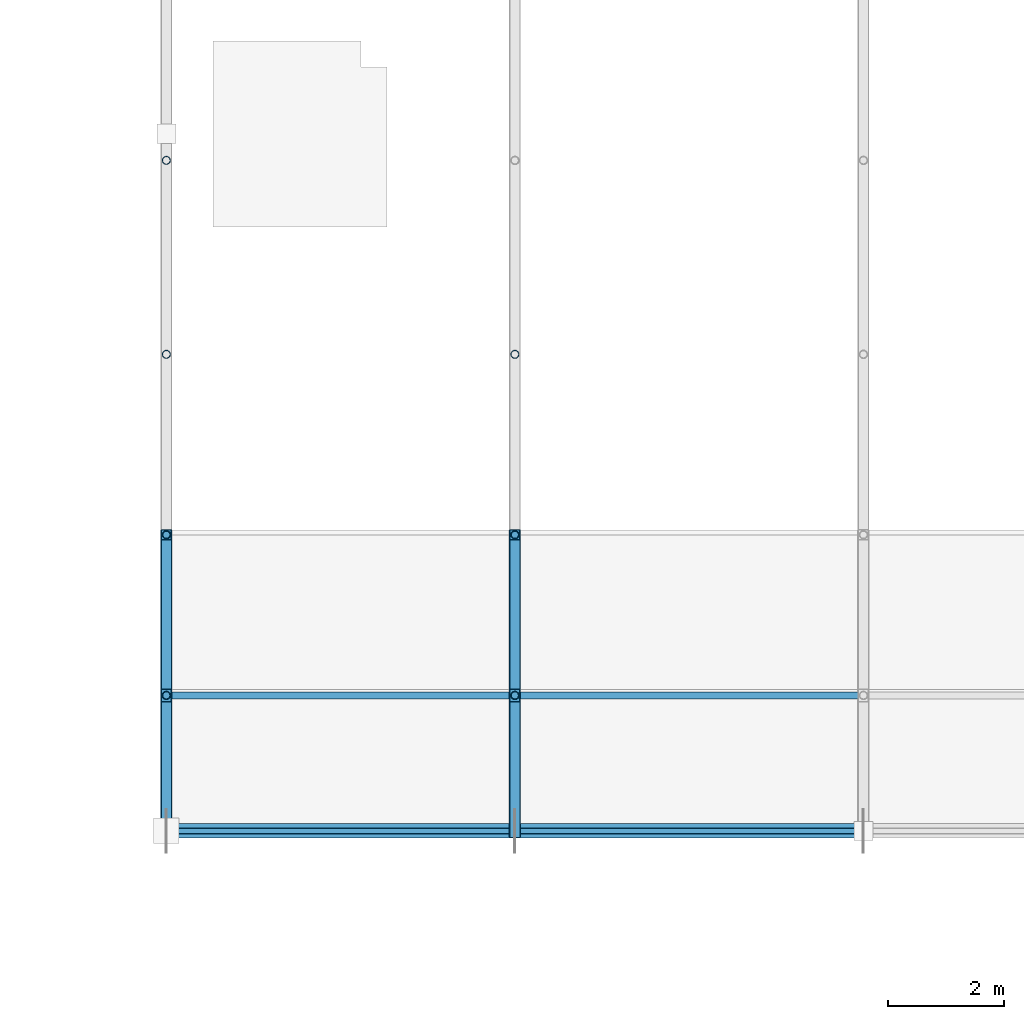
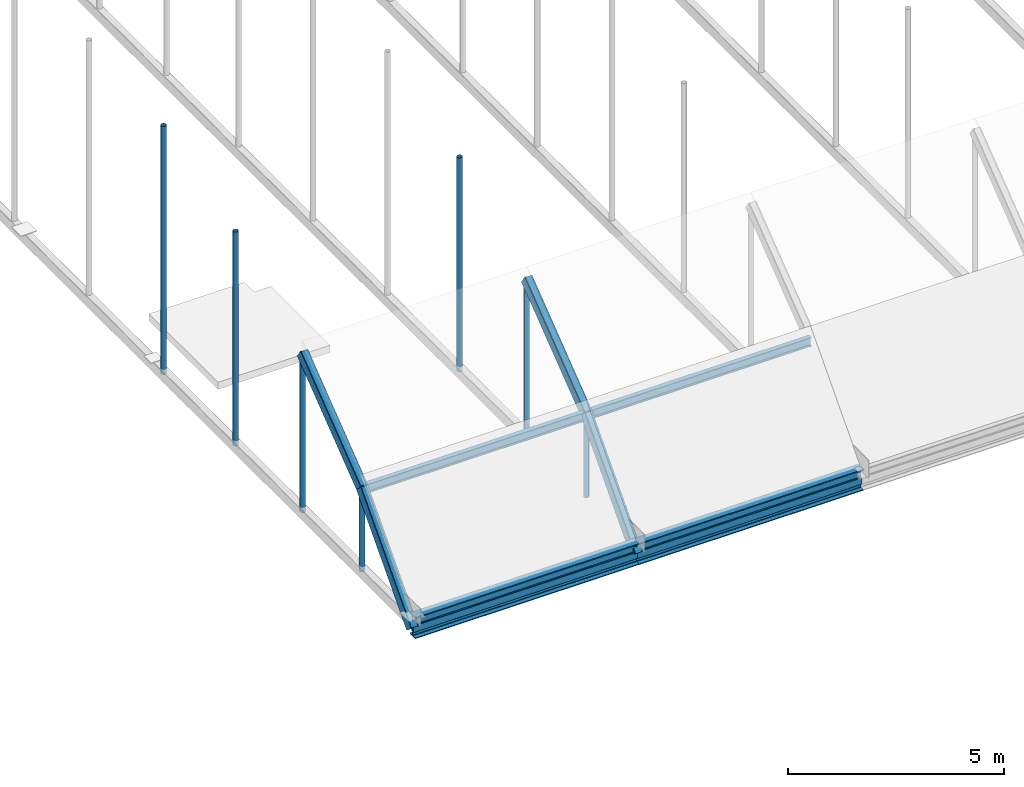
# One storey, part 18 of 63: 11 members, 6 beams.
"""IFC4 building model written with IfcOpenShell, lengths in metres."""

import ifcopenshell
import ifcopenshell.guid

model = None  # the IFC model being written
_history = None  # IfcOwnerHistory: only IFC2X3 demands one
_inside = {}  # id of a spatial element -> (the spatial element, [elements in it])
_under = {}  # id of a project, library or spatial element -> (it, [spatial elements below it])
_declared = {}  # id of a project -> (the project, [libraries it declares])
_typed = {}  # id of a type object -> (the type object, [elements of that type])
_made_of = {}  # id of a material, layer set ... -> (it, [elements and type objects made of it])


def new_model(schema):
    """Start an empty IFC model of exactly this schema.

    Asked for "IFC4X3", IfcOpenShell would pick the latest addendum, in which some entities
    have other attributes; the version numbers below select the first issue.
    IFC2X3 requires an IfcOwnerHistory on every rooted entity: one is made here for all.
    """
    global model, _history
    if schema == "IFC4X3":
        model = ifcopenshell.file(schema_version=(4, 3, 0, 0))
    else:
        model = ifcopenshell.file(schema=schema)
    _inside.clear()
    _under.clear()
    _declared.clear()
    _typed.clear()
    _made_of.clear()
    _history = None
    if model.schema == "IFC2X3":
        org = make("IfcOrganization", Name="unknown")
        user = make(
            "IfcPersonAndOrganization",
            ThePerson=make("IfcPerson", FamilyName="unknown"),
            TheOrganization=org,
        )
        app = make(
            "IfcApplication",
            ApplicationDeveloper=org,
            Version="unknown",
            ApplicationFullName="unknown",
            ApplicationIdentifier="unknown",
        )
        _history = make(
            "IfcOwnerHistory",
            OwningUser=user,
            OwningApplication=app,
            ChangeAction="ADDED",
            CreationDate=0,
        )
    return model


def make(cls, **values):
    """One entity of the class cls with the attributes given. An attribute that is None is left unset."""
    return model.create_entity(
        cls, **{name: value for name, value in values.items() if value is not None}
    )


def rooted(cls, **values):
    """An entity with a GlobalId (a new one), such as an element, a storey or a relation."""
    return make(cls, GlobalId=ifcopenshell.guid.new(), OwnerHistory=_history, **values)


def si_unit(unit_type, name, prefix=None):
    """IfcSIUnit, for example si_unit("LENGTHUNIT", "METRE", prefix="MILLI")."""
    return make("IfcSIUnit", UnitType=unit_type, Prefix=prefix, Name=name)


def assignment(units):
    """IfcUnitAssignment: the units of a project."""
    return None if units is None else make("IfcUnitAssignment", Units=units)


def point(xyz):
    """IfcCartesianPoint."""
    return None if xyz is None else make("IfcCartesianPoint", Coordinates=xyz)


def direction(xyz):
    """IfcDirection."""
    return None if xyz is None else make("IfcDirection", DirectionRatios=xyz)


def frame(location, z_axis=None, x_axis=None):
    """IfcAxis2Placement3D, a coordinate frame: its origin and axes. An axis left out is left unset."""
    return make(
        "IfcAxis2Placement3D",
        Location=point(location),
        Axis=direction(z_axis),
        RefDirection=direction(x_axis),
    )


def frame_2d(location, x_axis=None):
    """IfcAxis2Placement2D, a coordinate frame in the plane: its origin and x axis."""
    return make(
        "IfcAxis2Placement2D", Location=point(location), RefDirection=direction(x_axis)
    )


def origin():
    """The frame at (0, 0, 0) with its axes left unset."""
    return frame((0.0, 0.0, 0.0))


def origin_2d():
    """The frame at (0, 0) in the plane with its x axis left unset."""
    return frame_2d((0.0, 0.0))


def place(relative_to, where):
    """IfcLocalPlacement: puts the frame where relative to a parent placement (None: the world)."""
    return make(
        "IfcLocalPlacement", PlacementRelTo=relative_to, RelativePlacement=where
    )


def context(
    kind, dimensions, precision=None, world=None, true_north=None, identifier=None
):
    """IfcGeometricRepresentationContext, for example the 3D "Model" context."""
    return make(
        "IfcGeometricRepresentationContext",
        ContextIdentifier=identifier,
        ContextType=kind,
        CoordinateSpaceDimension=dimensions,
        Precision=precision,
        WorldCoordinateSystem=world,
        TrueNorth=true_north,
    )


def subcontext(parent, identifier, kind, view, scale=None):
    """IfcGeometricRepresentationSubContext, for example "Body" below "Model"."""
    return make(
        "IfcGeometricRepresentationSubContext",
        ContextIdentifier=identifier,
        ContextType=kind,
        ParentContext=parent,
        TargetScale=scale,
        TargetView=view,
    )


def project(units=None, contexts=None):
    """IfcProject with its units and contexts."""
    return rooted(
        "IfcProject",
        Name="project",
        RepresentationContexts=contexts,
        UnitsInContext=assignment(units),
    )


def spatial(cls, under=None, at=None, **own):
    """A site, building, storey or space (cls), placed at a placement, below another one or the project."""
    s = rooted(cls, ObjectPlacement=at, **own)
    if under is not None:
        _under.setdefault(under.id(), (under, []))[1].append(s)
    return s


def profile(cls, at=None, kind="AREA", **sizes):
    """A parametric profile (cls). Its sizes go by their IFC names, for example OverallWidth=200.0."""
    return make(cls, ProfileType=kind, Position=at, **sizes)


def hollow_rectangle(**sizes):
    """IfcRectangleHollowProfileDef."""
    return profile("IfcRectangleHollowProfileDef", **sizes)


def hollow_circle(**sizes):
    """IfcCircleHollowProfileDef."""
    return profile("IfcCircleHollowProfileDef", **sizes)


def i_section(**sizes):
    """IfcIShapeProfileDef."""
    return profile("IfcIShapeProfileDef", **sizes)


def extrude(swept, where, along, depth):
    """IfcExtrudedAreaSolid: the profile swept, set in the frame where, extruded along a direction by depth."""
    return make(
        "IfcExtrudedAreaSolid",
        SweptArea=swept,
        Position=where,
        ExtrudedDirection=direction(along),
        Depth=depth,
    )


def shape(context_of_items, identifier, shape_type, items):
    """IfcShapeRepresentation: the items that make up one representation, for example the "Body"."""
    return make(
        "IfcShapeRepresentation",
        ContextOfItems=context_of_items,
        RepresentationIdentifier=identifier,
        RepresentationType=shape_type,
        Items=items,
    )


def material(Name=None, Category=None):
    """IfcMaterial."""
    return make("IfcMaterial", Name=Name, Category=Category)


def material_profile(
    of_material, cross_section, Name=None, Category=None, Priority=None
):
    """IfcMaterialProfile: a cross section and its material."""
    return make(
        "IfcMaterialProfile",
        Name=Name,
        Material=of_material,
        Profile=cross_section,
        Priority=Priority,
        Category=Category,
    )


def profile_set(profiles, Name=None, composite=None):
    """IfcMaterialProfileSet."""
    return make(
        "IfcMaterialProfileSet",
        Name=Name,
        MaterialProfiles=profiles,
        CompositeProfile=composite,
    )


def made_of(thing, what):
    """Note that an element or type object is made of a material, layer set ...; save() writes the relation."""
    if what is not None:
        _made_of.setdefault(what.id(), (what, []))[1].append(thing)
    return thing


def type_object(cls, material=None, **own):
    """A type object (cls), such as IfcWallType, which elements share."""
    return made_of(rooted(cls, **own), material)


def element(
    cls,
    number,
    at=None,
    inside=None,
    cuts=None,
    type_object=None,
    material=None,
    context=None,
    identifier="Body",
    shape_type=None,
    held_by="IfcProductDefinitionShape",
    body=None,
    shapes=None,
    **own,
):
    """One element of the class cls, such as IfcWall. Its Tag is "e" and its number.

    at: its placement. inside: the storey or other place that contains it. cuts: it is an
    opening in that element (IfcRelVoidsElement). A single representation is given by context,
    identifier, shape_type and body (its items); several are given by shapes. held_by: the class
    of the entity that holds the representations. save() writes the other relations.
    """
    e = rooted(cls, Tag="e%d" % number, ObjectPlacement=at, **own)
    if body is not None:
        shapes = [shape(context, identifier, shape_type, body)]
    if shapes is not None:
        e.Representation = make(held_by, Representations=shapes)
    if inside is not None:
        _inside.setdefault(inside.id(), (inside, []))[1].append(e)
    if cuts is not None:
        rooted(
            "IfcRelVoidsElement", RelatingBuildingElement=cuts, RelatedOpeningElement=e
        )
    if type_object is not None:
        _typed.setdefault(type_object.id(), (type_object, []))[1].append(e)
    return made_of(e, material)


def aggregate(whole, parts):
    """IfcRelAggregates: a whole, such as a stair, and the parts it consists of."""
    return rooted("IfcRelAggregates", RelatingObject=whole, RelatedObjects=parts)


def save(model, path):
    """Write the relations noted so far, then the file.

    IfcRelAggregates (storeys below a building ...), IfcRelContainedInSpatialStructure (elements
    in a storey), IfcRelDefinesByType, IfcRelAssociatesMaterial and IfcRelDeclares: one each for
    every whole, place, type object, material and project.
    """
    for whole, parts in _under.values():
        aggregate(whole, parts)
    for where, things in _inside.values():
        rooted(
            "IfcRelContainedInSpatialStructure",
            RelatedElements=things,
            RelatingStructure=where,
        )
    for kind, things in _typed.values():
        rooted("IfcRelDefinesByType", RelatedObjects=things, RelatingType=kind)
    for what, things in _made_of.values():
        rooted("IfcRelAssociatesMaterial", RelatedObjects=things, RelatingMaterial=what)
    for by, libraries in _declared.values():
        rooted("IfcRelDeclares", RelatingContext=by, RelatedDefinitions=libraries)
    model.write(path)


model = new_model("IFC4")

# Units and contexts
model_context = context("Model", 3, precision=1e-05, world=origin(), true_north=direction((0.0, 1.0)))
body_context = subcontext(model_context, "Body", "Model", "MODEL_VIEW")
ifc_project = project(units=[si_unit("LENGTHUNIT", "METRE"), si_unit("AREAUNIT", "SQUARE_METRE"), si_unit("VOLUMEUNIT", "CUBIC_METRE"), si_unit("PLANEANGLEUNIT", "RADIAN"), si_unit("MASSUNIT", "GRAM", prefix="KILO")], contexts=[model_context])

# Site, building, storey
site_placement = place(None, origin())
site = spatial("IfcSite", under=ifc_project, at=site_placement, CompositionType="ELEMENT")
building_placement = place(site_placement, origin())
building = spatial("IfcBuilding", under=site, at=building_placement, Name="Varnakota Square Police Headquarters", CompositionType="ELEMENT")
storey_placement = place(building_placement, frame((0.0, 0.0, 22.199951171875)))
storey = spatial("IfcBuildingStorey", under=building, at=storey_placement, Name="L05", CompositionType="ELEMENT", Elevation=22.199951171875)

# Beams
ifc_material = material(Name="Steel IS 2062 Grade 350", Category="steel")
ifc_material_profile_1 = material_profile(ifc_material, i_section(OverallWidth=0.25, OverallDepth=0.60009765625, WebThickness=0.01171875, FlangeThickness=0.023681640625, FilletRadius=0.01708984375, at=origin_2d()), Name="ISWB 600")
ifc_profile_set_1 = profile_set([ifc_material_profile_1], Name="Steel IS 2062 Grade 350")
beam_type_1 = type_object("IfcBeamType", Name="BM-ISWB600", PredefinedType="BEAM", material=ifc_profile_set_1)
for number, where, z_axis, x_axis, name in (
    (1, (60.0, 69.0, -0.300048828125), (1.0, 0.0, 0.0), (0.0, 1.0, 0.0), "Vault V2 south ring beam"),
    (2, (66.0, 69.0, -0.300048828125), (1.0, 0.0, 0.0), (0.0, 1.0, 0.0), "Vault V2 south ring beam"),
):
    element("IfcBeam", number, at=place(storey_placement, frame(where, z_axis=z_axis, x_axis=x_axis)), inside=storey, type_object=beam_type_1, Name=name, PredefinedType="BEAM", context=body_context, shape_type="SweptSolid", body=[
        extrude(i_section(OverallWidth=0.25, OverallDepth=0.60009765625, WebThickness=0.01171875, FlangeThickness=0.023681640625, FilletRadius=0.01708984375, at=origin_2d()), origin(), (0.0, 0.0, 1.0), 6.0),
    ])
ifc_material_profile_2 = material_profile(ifc_material, hollow_rectangle(XDim=0.199951171875, YDim=0.300048828125, WallThickness=0.011962890625, InnerFilletRadius=0.011962890625, OuterFilletRadius=0.02392578125, at=origin_2d()), Name="RHS 300x200x12")
ifc_profile_set_2 = profile_set([ifc_material_profile_2], Name="Steel IS 2062 Grade 350")
beam_type_2 = type_object("IfcBeamType", Name="BM-VR-RHS300", PredefinedType="BEAM", material=ifc_profile_set_2)
beam_1_placement = place(storey_placement, frame((60.0, 69.0, -0.366455078125), z_axis=(0.0, 0.671520631111, 0.740985858159), x_axis=(-1.0, 0.0, 0.0)))
element("IfcBeam", 3, at=beam_1_placement, inside=storey, type_object=beam_type_2, Name="Barrel vault arch rib chord VR-V2-R01-S01", PredefinedType="BEAM", context=body_context, shape_type="SweptSolid", body=[
    extrude(hollow_rectangle(XDim=0.199951171875, YDim=0.300048828125, WallThickness=0.011962890625, InnerFilletRadius=0.011962890625, OuterFilletRadius=0.02392578125, at=origin_2d()), origin(), (0.0, 0.0, 1.0), 3.472412109375),
])
beam_2_placement = place(storey_placement, frame((60.0, 71.331787109375, 2.20654296875), z_axis=(0.0, 0.792062306817, 0.610440252703), x_axis=(-1.0, 0.0, 0.0)))
element("IfcBeam", 4, at=beam_2_placement, inside=storey, type_object=beam_type_2, Name="Barrel vault arch rib chord VR-V2-R01-S02", PredefinedType="BEAM", context=body_context, shape_type="SweptSolid", body=[
    extrude(hollow_rectangle(XDim=0.199951171875, YDim=0.300048828125, WallThickness=0.011962890625, InnerFilletRadius=0.011962890625, OuterFilletRadius=0.02392578125, at=origin_2d()), origin(), (0.0, 0.0, 1.0), 3.4921875),
])
beam_3_placement = place(storey_placement, frame((66.0, 69.0, -0.366455078125), z_axis=(0.0, 0.671520631111, 0.740985858159), x_axis=(-1.0, 0.0, 0.0)))
element("IfcBeam", 5, at=beam_3_placement, inside=storey, type_object=beam_type_2, Name="Barrel vault arch rib chord VR-V2-R02-S01", PredefinedType="BEAM", context=body_context, shape_type="SweptSolid", body=[
    extrude(hollow_rectangle(XDim=0.199951171875, YDim=0.300048828125, WallThickness=0.011962890625, InnerFilletRadius=0.011962890625, OuterFilletRadius=0.02392578125, at=origin_2d()), origin(), (0.0, 0.0, 1.0), 3.472412109375),
])
beam_4_placement = place(storey_placement, frame((66.0, 71.331787109375, 2.20654296875), z_axis=(0.0, 0.792062306817, 0.610440252703), x_axis=(-1.0, 0.0, 0.0)))
element("IfcBeam", 6, at=beam_4_placement, inside=storey, type_object=beam_type_2, Name="Barrel vault arch rib chord VR-V2-R02-S02", PredefinedType="BEAM", context=body_context, shape_type="SweptSolid", body=[
    extrude(hollow_rectangle(XDim=0.199951171875, YDim=0.300048828125, WallThickness=0.011962890625, InnerFilletRadius=0.011962890625, OuterFilletRadius=0.02392578125, at=origin_2d()), origin(), (0.0, 0.0, 1.0), 3.4921875),
])

# Members
ifc_material_profile_3 = material_profile(ifc_material, hollow_circle(Radius=0.06982421875, WallThickness=0.006103515625, at=origin_2d()), Name="CHS 139.7x6.0")
ifc_profile_set_3 = profile_set([ifc_material_profile_3], Name="Steel IS 2062 Grade 350")
member_type_1 = type_object("IfcMemberType", Name="MEM-HNG-CHS139", PredefinedType="STRUT", material=ifc_profile_set_3)
member_1_placement = place(storey_placement, frame((60.0, 71.331787109375, -0.14990234375), z_axis=(0.0, 0.0, 1.0), x_axis=(1.0, 0.0, 0.0)))
element("IfcMember", 7, at=member_1_placement, inside=storey, type_object=member_type_1, Name="Barrel vault hanger strut V2-R01-N1", PredefinedType="STRUT", context=body_context, shape_type="SweptSolid", body=[
    extrude(hollow_circle(Radius=0.06982421875, WallThickness=0.006103515625, at=origin_2d()), origin(), (0.0, 0.0, 1.0), 2.3564453125),
])
member_2_placement = place(storey_placement, frame((60.0, 74.097900390625, -0.14990234375), z_axis=(0.0, 0.0, 1.0), x_axis=(1.0, 0.0, 0.0)))
element("IfcMember", 8, at=member_2_placement, inside=storey, type_object=member_type_1, Name="Barrel vault hanger strut V2-R01-N2", PredefinedType="STRUT", context=body_context, shape_type="SweptSolid", body=[
    extrude(hollow_circle(Radius=0.06982421875, WallThickness=0.006103515625, at=origin_2d()), origin(), (0.0, 0.0, 1.0), 4.48828125),
])
member_3_placement = place(storey_placement, frame((60.0, 77.20361328125, -0.14990234375), z_axis=(0.0, 0.0, 1.0), x_axis=(1.0, 0.0, 0.0)))
element("IfcMember", 9, at=member_3_placement, inside=storey, type_object=member_type_1, Name="Barrel vault hanger strut V2-R01-N3", PredefinedType="STRUT", context=body_context, shape_type="SweptSolid", body=[
    extrude(hollow_circle(Radius=0.06982421875, WallThickness=0.006103515625, at=origin_2d()), origin(), (0.0, 0.0, 1.0), 6.060302734375),
])
member_4_placement = place(storey_placement, frame((60.0, 80.54248046875, -0.14990234375), z_axis=(0.0, 0.0, 1.0), x_axis=(1.0, 0.0, 0.0)))
element("IfcMember", 10, at=member_4_placement, inside=storey, type_object=member_type_1, Name="Barrel vault hanger strut V2-R01-N4", PredefinedType="STRUT", context=body_context, shape_type="SweptSolid", body=[
    extrude(hollow_circle(Radius=0.06982421875, WallThickness=0.006103515625, at=origin_2d()), origin(), (0.0, 0.0, 1.0), 7.02490234375),
])
member_5_placement = place(storey_placement, frame((66.0, 71.331787109375, -0.14990234375), z_axis=(0.0, 0.0, 1.0), x_axis=(1.0, 0.0, 0.0)))
element("IfcMember", 11, at=member_5_placement, inside=storey, type_object=member_type_1, Name="Barrel vault hanger strut V2-R02-N1", PredefinedType="STRUT", context=body_context, shape_type="SweptSolid", body=[
    extrude(hollow_circle(Radius=0.06982421875, WallThickness=0.006103515625, at=origin_2d()), origin(), (0.0, 0.0, 1.0), 2.3564453125),
])
member_6_placement = place(storey_placement, frame((66.0, 74.097900390625, -0.14990234375), z_axis=(0.0, 0.0, 1.0), x_axis=(1.0, 0.0, 0.0)))
element("IfcMember", 12, at=member_6_placement, inside=storey, type_object=member_type_1, Name="Barrel vault hanger strut V2-R02-N2", PredefinedType="STRUT", context=body_context, shape_type="SweptSolid", body=[
    extrude(hollow_circle(Radius=0.06982421875, WallThickness=0.006103515625, at=origin_2d()), origin(), (0.0, 0.0, 1.0), 4.48828125),
])
member_7_placement = place(storey_placement, frame((66.0, 77.20361328125, -0.14990234375), z_axis=(0.0, 0.0, 1.0), x_axis=(1.0, 0.0, 0.0)))
element("IfcMember", 13, at=member_7_placement, inside=storey, type_object=member_type_1, Name="Barrel vault hanger strut V2-R02-N3", PredefinedType="STRUT", context=body_context, shape_type="SweptSolid", body=[
    extrude(hollow_circle(Radius=0.06982421875, WallThickness=0.006103515625, at=origin_2d()), origin(), (0.0, 0.0, 1.0), 6.060302734375),
])
ifc_material_profile_4 = material_profile(ifc_material, i_section(OverallWidth=0.125, OverallDepth=0.25, WebThickness=0.0068359375, FlangeThickness=0.012451171875, FilletRadius=0.012939453125, at=origin_2d()), Name="ISMB 250")
ifc_profile_set_4 = profile_set([ifc_material_profile_4], Name="Steel IS 2062 Grade 350")
member_type_2 = type_object("IfcMemberType", Name="MEM-PUR-ISMB250", PredefinedType="PURLIN", material=ifc_profile_set_4)
for number, where, z_axis, x_axis, name in (
    (14, (60.0, 71.331787109375, 2.156494140625), (1.0, 0.0, 0.0), (0.0, 1.0, 0.0), "Vault roof purlin V2-B01-N01"),
    (15, (66.0, 71.331787109375, 2.156494140625), (1.0, 0.0, 0.0), (0.0, 1.0, 0.0), "Vault roof purlin V2-B02-N01"),
):
    element("IfcMember", number, at=place(storey_placement, frame(where, z_axis=z_axis, x_axis=x_axis)), inside=storey, type_object=member_type_2, Name=name, PredefinedType="PURLIN", context=body_context, shape_type="SweptSolid", body=[
        extrude(i_section(OverallWidth=0.125, OverallDepth=0.25, WebThickness=0.0068359375, FlangeThickness=0.012451171875, FilletRadius=0.012939453125, at=origin_2d()), origin(), (0.0, 0.0, 1.0), 6.0),
    ])
ifc_material_profile_5 = material_profile(ifc_material, hollow_rectangle(XDim=0.10009765625, YDim=0.199951171875, WallThickness=0.008056640625, InnerFilletRadius=0.008056640625, OuterFilletRadius=0.01611328125, at=origin_2d()), Name="RHS 200x100x8")
ifc_profile_set_5 = profile_set([ifc_material_profile_5], Name="Steel IS 2062 Grade 350")
member_type_3 = type_object("IfcMemberType", Name="MEM-PUR-RHS200", PredefinedType="PURLIN", material=ifc_profile_set_5)
for number, where, z_axis, x_axis, name in (
    (16, (60.0, 69.0, -0.377685546875), (1.0, 0.0, 0.0), (0.0, 1.0, 0.0), "Vault roof purlin V2-B01-N00"),
    (17, (66.0, 69.0, -0.377685546875), (1.0, 0.0, 0.0), (0.0, 1.0, 0.0), "Vault roof purlin V2-B02-N00"),
):
    element("IfcMember", number, at=place(storey_placement, frame(where, z_axis=z_axis, x_axis=x_axis)), inside=storey, type_object=member_type_3, Name=name, PredefinedType="PURLIN", context=body_context, shape_type="SweptSolid", body=[
        extrude(hollow_rectangle(XDim=0.10009765625, YDim=0.199951171875, WallThickness=0.008056640625, InnerFilletRadius=0.008056640625, OuterFilletRadius=0.01611328125, at=origin_2d()), origin(), (0.0, 0.0, 1.0), 6.0),
    ])

save(model, "model.ifc")
